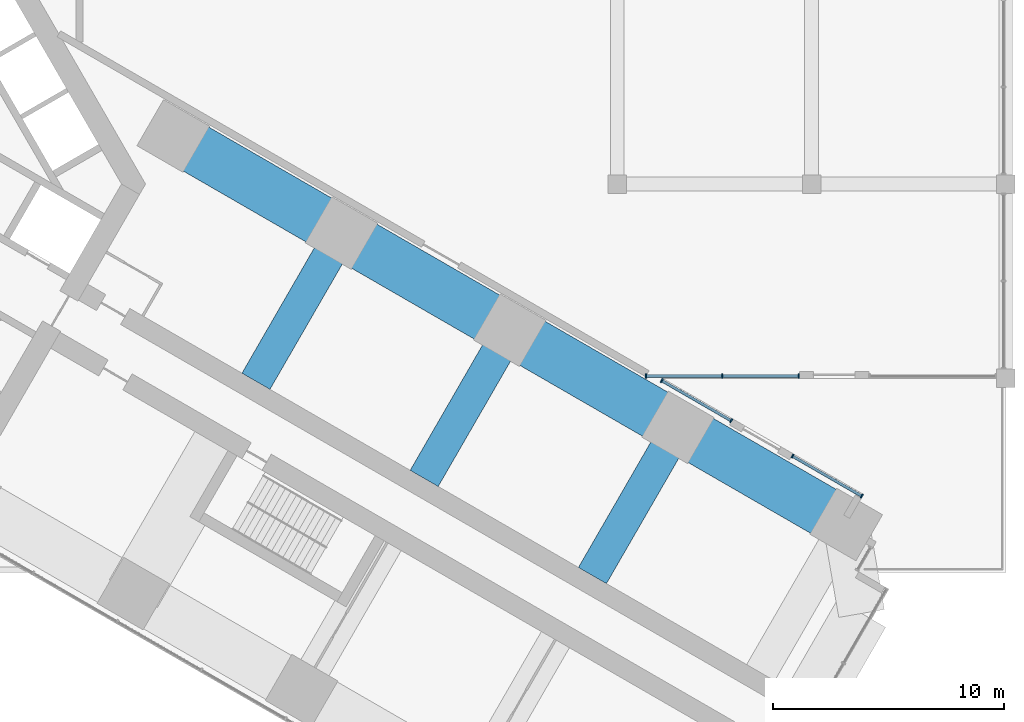
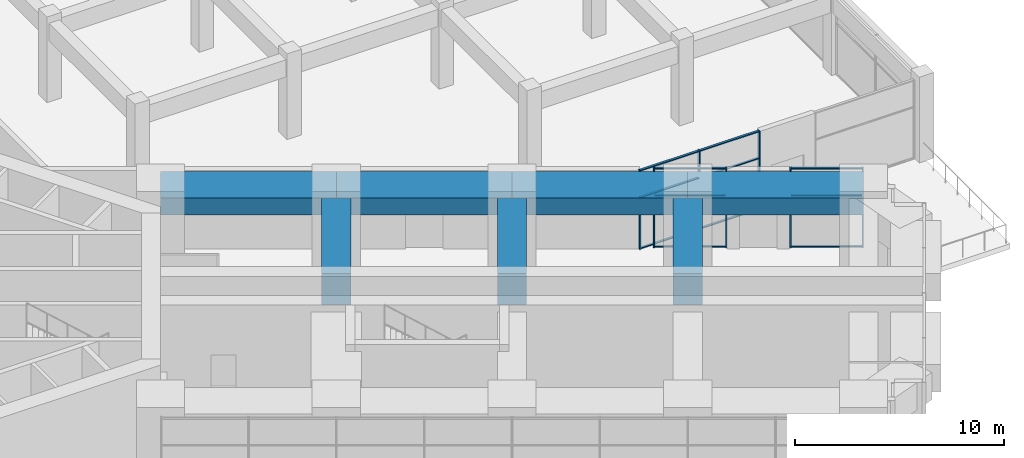
# One storey, part 13 of 33: 19 members, 7 beams, 3 elements without a shape of their own.
"""IFC4 building model written with IfcOpenShell, lengths in metres."""

import ifcopenshell
import ifcopenshell.guid

model = None  # the IFC model being written
_history = None  # IfcOwnerHistory: only IFC2X3 demands one
_inside = {}  # id of a spatial element -> (the spatial element, [elements in it])
_under = {}  # id of a project, library or spatial element -> (it, [spatial elements below it])
_declared = {}  # id of a project -> (the project, [libraries it declares])
_typed = {}  # id of a type object -> (the type object, [elements of that type])
_made_of = {}  # id of a material, layer set ... -> (it, [elements and type objects made of it])


def new_model(schema):
    """Start an empty IFC model of exactly this schema.

    Asked for "IFC4X3", IfcOpenShell would pick the latest addendum, in which some entities
    have other attributes; the version numbers below select the first issue.
    IFC2X3 requires an IfcOwnerHistory on every rooted entity: one is made here for all.
    """
    global model, _history
    if schema == "IFC4X3":
        model = ifcopenshell.file(schema_version=(4, 3, 0, 0))
    else:
        model = ifcopenshell.file(schema=schema)
    _inside.clear()
    _under.clear()
    _declared.clear()
    _typed.clear()
    _made_of.clear()
    _history = None
    if model.schema == "IFC2X3":
        org = make("IfcOrganization", Name="unknown")
        user = make(
            "IfcPersonAndOrganization",
            ThePerson=make("IfcPerson", FamilyName="unknown"),
            TheOrganization=org,
        )
        app = make(
            "IfcApplication",
            ApplicationDeveloper=org,
            Version="unknown",
            ApplicationFullName="unknown",
            ApplicationIdentifier="unknown",
        )
        _history = make(
            "IfcOwnerHistory",
            OwningUser=user,
            OwningApplication=app,
            ChangeAction="ADDED",
            CreationDate=0,
        )
    return model


def make(cls, **values):
    """One entity of the class cls with the attributes given. An attribute that is None is left unset."""
    return model.create_entity(
        cls, **{name: value for name, value in values.items() if value is not None}
    )


def rooted(cls, **values):
    """An entity with a GlobalId (a new one), such as an element, a storey or a relation."""
    return make(cls, GlobalId=ifcopenshell.guid.new(), OwnerHistory=_history, **values)


def si_unit(unit_type, name, prefix=None):
    """IfcSIUnit, for example si_unit("LENGTHUNIT", "METRE", prefix="MILLI")."""
    return make("IfcSIUnit", UnitType=unit_type, Prefix=prefix, Name=name)


def assignment(units):
    """IfcUnitAssignment: the units of a project."""
    return None if units is None else make("IfcUnitAssignment", Units=units)


def point(xyz):
    """IfcCartesianPoint."""
    return None if xyz is None else make("IfcCartesianPoint", Coordinates=xyz)


def direction(xyz):
    """IfcDirection."""
    return None if xyz is None else make("IfcDirection", DirectionRatios=xyz)


def frame(location, z_axis=None, x_axis=None):
    """IfcAxis2Placement3D, a coordinate frame: its origin and axes. An axis left out is left unset."""
    return make(
        "IfcAxis2Placement3D",
        Location=point(location),
        Axis=direction(z_axis),
        RefDirection=direction(x_axis),
    )


def frame_2d(location, x_axis=None):
    """IfcAxis2Placement2D, a coordinate frame in the plane: its origin and x axis."""
    return make(
        "IfcAxis2Placement2D", Location=point(location), RefDirection=direction(x_axis)
    )


def origin():
    """The frame at (0, 0, 0) with its axes left unset."""
    return frame((0.0, 0.0, 0.0))


def origin_2d():
    """The frame at (0, 0) in the plane with its x axis left unset."""
    return frame_2d((0.0, 0.0))


def place(relative_to, where):
    """IfcLocalPlacement: puts the frame where relative to a parent placement (None: the world)."""
    return make(
        "IfcLocalPlacement", PlacementRelTo=relative_to, RelativePlacement=where
    )


def context(
    kind, dimensions, precision=None, world=None, true_north=None, identifier=None
):
    """IfcGeometricRepresentationContext, for example the 3D "Model" context."""
    return make(
        "IfcGeometricRepresentationContext",
        ContextIdentifier=identifier,
        ContextType=kind,
        CoordinateSpaceDimension=dimensions,
        Precision=precision,
        WorldCoordinateSystem=world,
        TrueNorth=true_north,
    )


def subcontext(parent, identifier, kind, view, scale=None):
    """IfcGeometricRepresentationSubContext, for example "Body" below "Model"."""
    return make(
        "IfcGeometricRepresentationSubContext",
        ContextIdentifier=identifier,
        ContextType=kind,
        ParentContext=parent,
        TargetScale=scale,
        TargetView=view,
    )


def project(units=None, contexts=None):
    """IfcProject with its units and contexts."""
    return rooted(
        "IfcProject",
        Name="project",
        RepresentationContexts=contexts,
        UnitsInContext=assignment(units),
    )


def spatial(cls, under=None, at=None, **own):
    """A site, building, storey or space (cls), placed at a placement, below another one or the project."""
    s = rooted(cls, ObjectPlacement=at, **own)
    if under is not None:
        _under.setdefault(under.id(), (under, []))[1].append(s)
    return s


def profile(cls, at=None, kind="AREA", **sizes):
    """A parametric profile (cls). Its sizes go by their IFC names, for example OverallWidth=200.0."""
    return make(cls, ProfileType=kind, Position=at, **sizes)


def rectangle(**sizes):
    """IfcRectangleProfileDef."""
    return profile("IfcRectangleProfileDef", **sizes)


def extrude(swept, where, along, depth):
    """IfcExtrudedAreaSolid: the profile swept, set in the frame where, extruded along a direction by depth."""
    return make(
        "IfcExtrudedAreaSolid",
        SweptArea=swept,
        Position=where,
        ExtrudedDirection=direction(along),
        Depth=depth,
    )


def shape(context_of_items, identifier, shape_type, items):
    """IfcShapeRepresentation: the items that make up one representation, for example the "Body"."""
    return make(
        "IfcShapeRepresentation",
        ContextOfItems=context_of_items,
        RepresentationIdentifier=identifier,
        RepresentationType=shape_type,
        Items=items,
    )


def material(Name=None, Category=None):
    """IfcMaterial."""
    return make("IfcMaterial", Name=Name, Category=Category)


def material_profile(
    of_material, cross_section, Name=None, Category=None, Priority=None
):
    """IfcMaterialProfile: a cross section and its material."""
    return make(
        "IfcMaterialProfile",
        Name=Name,
        Material=of_material,
        Profile=cross_section,
        Priority=Priority,
        Category=Category,
    )


def profile_set(profiles, Name=None, composite=None):
    """IfcMaterialProfileSet."""
    return make(
        "IfcMaterialProfileSet",
        Name=Name,
        MaterialProfiles=profiles,
        CompositeProfile=composite,
    )


def made_of(thing, what):
    """Note that an element or type object is made of a material, layer set ...; save() writes the relation."""
    if what is not None:
        _made_of.setdefault(what.id(), (what, []))[1].append(thing)
    return thing


def type_object(cls, material=None, **own):
    """A type object (cls), such as IfcWallType, which elements share."""
    return made_of(rooted(cls, **own), material)


def element(
    cls,
    number,
    at=None,
    inside=None,
    cuts=None,
    type_object=None,
    material=None,
    context=None,
    identifier="Body",
    shape_type=None,
    held_by="IfcProductDefinitionShape",
    body=None,
    shapes=None,
    **own,
):
    """One element of the class cls, such as IfcWall. Its Tag is "e" and its number.

    at: its placement. inside: the storey or other place that contains it. cuts: it is an
    opening in that element (IfcRelVoidsElement). A single representation is given by context,
    identifier, shape_type and body (its items); several are given by shapes. held_by: the class
    of the entity that holds the representations. save() writes the other relations.
    """
    e = rooted(cls, Tag="e%d" % number, ObjectPlacement=at, **own)
    if body is not None:
        shapes = [shape(context, identifier, shape_type, body)]
    if shapes is not None:
        e.Representation = make(held_by, Representations=shapes)
    if inside is not None:
        _inside.setdefault(inside.id(), (inside, []))[1].append(e)
    if cuts is not None:
        rooted(
            "IfcRelVoidsElement", RelatingBuildingElement=cuts, RelatedOpeningElement=e
        )
    if type_object is not None:
        _typed.setdefault(type_object.id(), (type_object, []))[1].append(e)
    return made_of(e, material)


def aggregate(whole, parts):
    """IfcRelAggregates: a whole, such as a stair, and the parts it consists of."""
    return rooted("IfcRelAggregates", RelatingObject=whole, RelatedObjects=parts)


def save(model, path):
    """Write the relations noted so far, then the file.

    IfcRelAggregates (storeys below a building ...), IfcRelContainedInSpatialStructure (elements
    in a storey), IfcRelDefinesByType, IfcRelAssociatesMaterial and IfcRelDeclares: one each for
    every whole, place, type object, material and project.
    """
    for whole, parts in _under.values():
        aggregate(whole, parts)
    for where, things in _inside.values():
        rooted(
            "IfcRelContainedInSpatialStructure",
            RelatedElements=things,
            RelatingStructure=where,
        )
    for kind, things in _typed.values():
        rooted("IfcRelDefinesByType", RelatedObjects=things, RelatingType=kind)
    for what, things in _made_of.values():
        rooted("IfcRelAssociatesMaterial", RelatedObjects=things, RelatingMaterial=what)
    for by, libraries in _declared.values():
        rooted("IfcRelDeclares", RelatingContext=by, RelatedDefinitions=libraries)
    model.write(path)


model = new_model("IFC4")

# Units and contexts
model_context = context("Model", 3, precision=1e-05, world=origin(), true_north=direction((0.0, 1.0)))
body_context = subcontext(model_context, "Body", "Model", "MODEL_VIEW")
ifc_project = project(units=[si_unit("LENGTHUNIT", "METRE"), si_unit("AREAUNIT", "SQUARE_METRE"), si_unit("VOLUMEUNIT", "CUBIC_METRE"), si_unit("PLANEANGLEUNIT", "RADIAN"), si_unit("MASSUNIT", "GRAM", prefix="KILO")], contexts=[model_context])

# Site, building, storey
site_placement = place(None, origin())
site = spatial("IfcSite", under=ifc_project, at=site_placement, CompositionType="ELEMENT")
building_placement = place(site_placement, origin())
building = spatial("IfcBuilding", under=site, at=building_placement, Name="Impinga Residences", CompositionType="ELEMENT")
storey_placement = place(building_placement, frame((0.0, 0.0, 21.0)))
storey = spatial("IfcBuildingStorey", under=building, at=storey_placement, Name="L04", CompositionType="ELEMENT", Elevation=21.0)

# Beams
ifc_material_1 = material(Name="Concrete C60/75", Category="concrete")
ifc_material_profile_1 = material_profile(ifc_material_1, rectangle(XDim=1.39990234375, YDim=1.800048828125, at=origin_2d()), Name="RC 1400x1800")
ifc_profile_set_1 = profile_set([ifc_material_profile_1], Name="Concrete C60/75")
beam_type_1 = type_object("IfcBeamType", Name="CG4 1400x1800 cross girder on a wing bay line under the podium floors", PredefinedType="BEAM", material=ifc_profile_set_1)
beam_placement = place(storey_placement, frame((17.974609375, -8.530029296875, 3.699951171875), z_axis=(0.500003285667, 0.866023506795, 0.0), x_axis=(-0.866023506795, 0.500003285667, 0.0)))
element("IfcBeam", 1, at=beam_placement, inside=storey, type_object=beam_type_1, Name="Beam CG4 E2 EC/EA level L05", PredefinedType="BEAM", context=body_context, shape_type="SweptSolid", body=[
    extrude(rectangle(XDim=1.39990234375, YDim=1.800048828125, at=origin_2d()), origin(), (0.0, 0.0, 1.0), 7.39990234375),
])
for number, where, z_axis, x_axis, name in (
    (2, (25.249267578125, -12.730224609375, 3.699951171875), (0.499988999718, 0.866031754707, 0.0), (-0.866031754707, 0.499988999718, 0.0), "Beam CG4 E3 EC/EA level L05"),
    (3, (32.52392578125, -16.93017578125, 3.699951171875), (0.499988999718, 0.866031754707, 0.0), (-0.866031754707, 0.499988999718, 0.0), "Beam CG4 E4 EC/EA level L05"),
):
    element("IfcBeam", number, at=place(storey_placement, frame(where, z_axis=z_axis, x_axis=x_axis)), inside=storey, type_object=beam_type_1, Name=name, PredefinedType="BEAM", context=body_context, shape_type="SweptSolid", body=[
        extrude(rectangle(XDim=1.39990234375, YDim=1.800048828125, at=origin_2d()), origin(), (0.0, 0.0, 1.0), 7.400146484375),
    ])

# Curtain wall, members
ifc_material_2 = material(Name="Aluminium stick curtain wall", Category="aluminium")
curtain_wall_type = type_object("IfcCurtainWallType", Name="CW1 podium amenity curtain wall", PredefinedType="USERDEFINED", material=ifc_material_2)
curtain_wall_1_placement = place(storey_placement, origin())
curtain_wall_1 = element("IfcCurtainWall", 4, at=curtain_wall_1_placement, inside=storey, type_object=curtain_wall_type, Name="Curtain wall CW1 L04", ObjectType="STICK CURTAIN WALL", PredefinedType="USERDEFINED")
ifc_material_3 = material(Name="Aluminium mullion", Category="aluminium")
ifc_material_profile_2 = material_profile(ifc_material_3, rectangle(XDim=0.06005859375, YDim=0.179931640625, at=origin_2d()), Name="60x180 mullion")
ifc_profile_set_2 = profile_set([ifc_material_profile_2], Name="Aluminium mullion")
member_type_1 = type_object("IfcMemberType", Name="CW1-M mullion 60x180", PredefinedType="MULLION", material=ifc_profile_set_2)
member_1_placement = place(storey_placement, frame((41.444580078125, -8.300048828125, 0.0), z_axis=(0.0, 0.0, 1.0), x_axis=(-1.0, 0.0, 0.0)))
member_1 = element("IfcMember", 5, at=member_1_placement, type_object=member_type_1, Name="CW1 mullion 1", PredefinedType="MULLION", context=body_context, shape_type="SweptSolid", body=[
    extrude(rectangle(XDim=0.06005859375, YDim=0.179931640625, at=origin_2d()), origin(), (0.0, 0.0, 1.0), 4.60009765625),
])
member_2_placement = place(storey_placement, frame((38.138671875, -8.300048828125, 0.0), z_axis=(0.0, 0.0, 1.0), x_axis=(-1.0, 0.0, 0.0)))
member_2 = element("IfcMember", 6, at=member_2_placement, type_object=member_type_1, Name="CW1 mullion 2", PredefinedType="MULLION", context=body_context, shape_type="SweptSolid", body=[
    extrude(rectangle(XDim=0.06005859375, YDim=0.179931640625, at=origin_2d()), origin(), (0.0, 0.0, 1.0), 4.60009765625),
])
member_3_placement = place(storey_placement, frame((34.832763671875, -8.300048828125, 0.0), z_axis=(0.0, 0.0, 1.0), x_axis=(-1.0, 0.0, 0.0)))
member_3 = element("IfcMember", 7, at=member_3_placement, type_object=member_type_1, Name="CW1 mullion 3", PredefinedType="MULLION", context=body_context, shape_type="SweptSolid", body=[
    extrude(rectangle(XDim=0.06005859375, YDim=0.179931640625, at=origin_2d()), origin(), (0.0, 0.0, 1.0), 4.60009765625),
])

curtain_wall_2_placement = place(storey_placement, origin())
curtain_wall_2 = element("IfcCurtainWall", 8, at=curtain_wall_2_placement, inside=storey, type_object=curtain_wall_type, Name="Curtain wall CW1 L04", ObjectType="STICK CURTAIN WALL", PredefinedType="USERDEFINED")
member_4_placement = place(storey_placement, frame((35.525146484375, -8.501708984375, 0.0), z_axis=(0.0, 0.0, 1.0), x_axis=(0.866025440349, -0.499999936668, 0.0)))
member_4 = element("IfcMember", 9, at=member_4_placement, type_object=member_type_1, Name="CW1 mullion 1", PredefinedType="MULLION", context=body_context, shape_type="SweptSolid", body=[
    extrude(rectangle(XDim=0.06005859375, YDim=0.179931640625, at=origin_2d()), origin(), (0.0, 0.0, 1.0), 4.60009765625),
])
member_5_placement = place(storey_placement, frame((38.52392578125, -10.23291015625, 0.0), z_axis=(0.0, 0.0, 1.0), x_axis=(0.866025440349, -0.499999936668, 0.0)))
member_5 = element("IfcMember", 10, at=member_5_placement, type_object=member_type_1, Name="CW1 mullion 2", PredefinedType="MULLION", context=body_context, shape_type="SweptSolid", body=[
    extrude(rectangle(XDim=0.06005859375, YDim=0.179931640625, at=origin_2d()), origin(), (0.0, 0.0, 1.0), 4.60009765625),
])

curtain_wall_3_placement = place(storey_placement, origin())
curtain_wall_3 = element("IfcCurtainWall", 11, at=curtain_wall_3_placement, inside=storey, type_object=curtain_wall_type, Name="Curtain wall CW1 L04", ObjectType="STICK CURTAIN WALL", PredefinedType="USERDEFINED")
member_6_placement = place(storey_placement, frame((41.173828125, -11.762939453125, 0.0), z_axis=(0.0, 0.0, 1.0), x_axis=(0.866025511323, -0.499999813738, 0.0)))
member_6 = element("IfcMember", 12, at=member_6_placement, type_object=member_type_1, Name="CW1 mullion 1", PredefinedType="MULLION", context=body_context, shape_type="SweptSolid", body=[
    extrude(rectangle(XDim=0.06005859375, YDim=0.179931640625, at=origin_2d()), origin(), (0.0, 0.0, 1.0), 4.60009765625),
])
member_7_placement = place(storey_placement, frame((44.17236328125, -13.494140625, 0.0), z_axis=(0.0, 0.0, 1.0), x_axis=(0.866025511323, -0.499999813738, 0.0)))
member_7 = element("IfcMember", 13, at=member_7_placement, type_object=member_type_1, Name="CW1 mullion 2", PredefinedType="MULLION", context=body_context, shape_type="SweptSolid", body=[
    extrude(rectangle(XDim=0.06005859375, YDim=0.179931640625, at=origin_2d()), origin(), (0.0, 0.0, 1.0), 4.60009765625),
])

# Member
ifc_material_4 = material(Name="Aluminium transom", Category="aluminium")
ifc_material_profile_3 = material_profile(ifc_material_4, rectangle(XDim=0.06005859375, YDim=0.1201171875, at=origin_2d()), Name="60x120 transom")
ifc_profile_set_3 = profile_set([ifc_material_profile_3], Name="Aluminium transom")
member_type_2 = type_object("IfcMemberType", Name="CW1-T transom 60x120", PredefinedType="USERDEFINED", material=ifc_profile_set_3)
member_8_placement = place(storey_placement, frame((41.41455078125, -8.300048828125, 0.030029296875), z_axis=(-1.0, 0.0, 0.0), x_axis=(0.0, 0.0, 1.0)))
member_8 = element("IfcMember", 14, at=member_8_placement, type_object=member_type_2, Name="CW1 transom 1.1", ObjectType="TRANSOM", PredefinedType="USERDEFINED", context=body_context, shape_type="SweptSolid", body=[
    extrude(rectangle(XDim=0.06005859375, YDim=0.1201171875, at=origin_2d()), origin(), (0.0, 0.0, 1.0), 3.245849609375),
])

member_9_placement = place(storey_placement, frame((41.41455078125, -8.300048828125, 3.0), z_axis=(-1.0, 0.0, 0.0), x_axis=(0.0, 0.0, 1.0)))
member_9 = element("IfcMember", 15, at=member_9_placement, type_object=member_type_2, Name="CW1 transom 1.2", ObjectType="TRANSOM", PredefinedType="USERDEFINED", context=body_context, shape_type="SweptSolid", body=[
    extrude(rectangle(XDim=0.06005859375, YDim=0.1201171875, at=origin_2d()), origin(), (0.0, 0.0, 1.0), 3.245849609375),
])

member_10_placement = place(storey_placement, frame((41.41455078125, -8.300048828125, 4.570068359375), z_axis=(-1.0, 0.0, 0.0), x_axis=(0.0, 0.0, 1.0)))
member_10 = element("IfcMember", 16, at=member_10_placement, type_object=member_type_2, Name="CW1 transom 1.3", ObjectType="TRANSOM", PredefinedType="USERDEFINED", context=body_context, shape_type="SweptSolid", body=[
    extrude(rectangle(XDim=0.06005859375, YDim=0.1201171875, at=origin_2d()), origin(), (0.0, 0.0, 1.0), 3.245849609375),
])

member_11_placement = place(storey_placement, frame((38.108642578125, -8.300048828125, 0.030029296875), z_axis=(-1.0, 0.0, 0.0), x_axis=(0.0, 0.0, 1.0)))
member_11 = element("IfcMember", 17, at=member_11_placement, type_object=member_type_2, Name="CW1 transom 2.1", ObjectType="TRANSOM", PredefinedType="USERDEFINED", context=body_context, shape_type="SweptSolid", body=[
    extrude(rectangle(XDim=0.06005859375, YDim=0.1201171875, at=origin_2d()), origin(), (0.0, 0.0, 1.0), 3.245849609375),
])

member_12_placement = place(storey_placement, frame((38.108642578125, -8.300048828125, 3.0), z_axis=(-1.0, 0.0, 0.0), x_axis=(0.0, 0.0, 1.0)))
member_12 = element("IfcMember", 18, at=member_12_placement, type_object=member_type_2, Name="CW1 transom 2.2", ObjectType="TRANSOM", PredefinedType="USERDEFINED", context=body_context, shape_type="SweptSolid", body=[
    extrude(rectangle(XDim=0.06005859375, YDim=0.1201171875, at=origin_2d()), origin(), (0.0, 0.0, 1.0), 3.245849609375),
])

member_13_placement = place(storey_placement, frame((38.108642578125, -8.300048828125, 4.570068359375), z_axis=(-1.0, 0.0, 0.0), x_axis=(0.0, 0.0, 1.0)))
member_13 = element("IfcMember", 19, at=member_13_placement, type_object=member_type_2, Name="CW1 transom 2.3", ObjectType="TRANSOM", PredefinedType="USERDEFINED", context=body_context, shape_type="SweptSolid", body=[
    extrude(rectangle(XDim=0.06005859375, YDim=0.1201171875, at=origin_2d()), origin(), (0.0, 0.0, 1.0), 3.245849609375),
])

aggregate(curtain_wall_1, [member_1, member_2, member_3, member_8, member_9, member_10, member_11, member_12, member_13])

member_14_placement = place(storey_placement, frame((35.55126953125, -8.5166015625, 0.030029296875), z_axis=(0.86602665903, -0.499997825845, 0.0), x_axis=(0.0, 0.0, 1.0)))
member_14 = element("IfcMember", 20, at=member_14_placement, type_object=member_type_2, Name="CW1 transom 1.1", ObjectType="TRANSOM", PredefinedType="USERDEFINED", context=body_context, shape_type="SweptSolid", body=[
    extrude(rectangle(XDim=0.06005859375, YDim=0.1201171875, at=origin_2d()), origin(), (0.0, 0.0, 1.0), 3.40234375),
])

member_15_placement = place(storey_placement, frame((35.55126953125, -8.5166015625, 3.0), z_axis=(0.86602665903, -0.499997825845, 0.0), x_axis=(0.0, 0.0, 1.0)))
member_15 = element("IfcMember", 21, at=member_15_placement, type_object=member_type_2, Name="CW1 transom 1.2", ObjectType="TRANSOM", PredefinedType="USERDEFINED", context=body_context, shape_type="SweptSolid", body=[
    extrude(rectangle(XDim=0.06005859375, YDim=0.1201171875, at=origin_2d()), origin(), (0.0, 0.0, 1.0), 3.40234375),
])

member_16_placement = place(storey_placement, frame((35.55126953125, -8.5166015625, 4.570068359375), z_axis=(0.86602665903, -0.499997825845, 0.0), x_axis=(0.0, 0.0, 1.0)))
member_16 = element("IfcMember", 22, at=member_16_placement, type_object=member_type_2, Name="CW1 transom 1.3", ObjectType="TRANSOM", PredefinedType="USERDEFINED", context=body_context, shape_type="SweptSolid", body=[
    extrude(rectangle(XDim=0.06005859375, YDim=0.1201171875, at=origin_2d()), origin(), (0.0, 0.0, 1.0), 3.40234375),
])

aggregate(curtain_wall_2, [member_4, member_5, member_14, member_15, member_16])

member_17_placement = place(storey_placement, frame((41.199951171875, -11.77783203125, 0.030029296875), z_axis=(0.86602665903, -0.499997825845, 0.0), x_axis=(0.0, 0.0, 1.0)))
member_17 = element("IfcMember", 23, at=member_17_placement, type_object=member_type_2, Name="CW1 transom 1.1", ObjectType="TRANSOM", PredefinedType="USERDEFINED", context=body_context, shape_type="SweptSolid", body=[
    extrude(rectangle(XDim=0.06005859375, YDim=0.1201171875, at=origin_2d()), origin(), (0.0, 0.0, 1.0), 3.40234375),
])

member_18_placement = place(storey_placement, frame((41.199951171875, -11.77783203125, 3.0), z_axis=(0.86602665903, -0.499997825845, 0.0), x_axis=(0.0, 0.0, 1.0)))
member_18 = element("IfcMember", 24, at=member_18_placement, type_object=member_type_2, Name="CW1 transom 1.2", ObjectType="TRANSOM", PredefinedType="USERDEFINED", context=body_context, shape_type="SweptSolid", body=[
    extrude(rectangle(XDim=0.06005859375, YDim=0.1201171875, at=origin_2d()), origin(), (0.0, 0.0, 1.0), 3.40234375),
])

member_19_placement = place(storey_placement, frame((41.199951171875, -11.77783203125, 4.570068359375), z_axis=(0.86602665903, -0.499997825845, 0.0), x_axis=(0.0, 0.0, 1.0)))
member_19 = element("IfcMember", 25, at=member_19_placement, type_object=member_type_2, Name="CW1 transom 1.3", ObjectType="TRANSOM", PredefinedType="USERDEFINED", context=body_context, shape_type="SweptSolid", body=[
    extrude(rectangle(XDim=0.06005859375, YDim=0.1201171875, at=origin_2d()), origin(), (0.0, 0.0, 1.0), 3.40234375),
])

aggregate(curtain_wall_3, [member_6, member_7, member_17, member_18, member_19])

# Beams
ifc_material_profile_4 = material_profile(ifc_material_1, rectangle(XDim=2.199951171875, YDim=1.0, at=origin_2d()), Name="RC 2200x1000")
ifc_profile_set_4 = profile_set([ifc_material_profile_4], Name="Concrete C60/75")
beam_type_2 = type_object("IfcBeamType", Name="PB3 2200x1000 podium band beam", PredefinedType="BEAM", material=ifc_profile_set_4)
for number, where, z_axis, x_axis, name in (
    (26, (14.39990234375, 2.078369140625, 4.10009765625), (0.86602925447, -0.499993330357, 0.0), (0.499993330357, 0.86602925447, 0.0), "Beam PB3 EA E1-E2 level L05"),
    (27, (21.674560546875, -2.12158203125, 4.10009765625), (0.86602925447, -0.499993330357, 0.0), (0.499993330357, 0.86602925447, 0.0), "Beam PB3 EA E2-E3 level L05"),
    (28, (28.94921875, -6.321533203125, 4.10009765625), (0.86602925447, -0.499993330357, 0.0), (0.499993330357, 0.86602925447, 0.0), "Beam PB3 EA E3-E4 level L05"),
    (29, (36.223876953125, -10.521484375, 4.10009765625), (0.86602925447, -0.499993330357, 0.0), (0.499993330357, 0.86602925447, 0.0), "Beam PB3 EA E4-E5 level L05"),
):
    element("IfcBeam", number, at=place(storey_placement, frame(where, z_axis=z_axis, x_axis=x_axis)), inside=storey, type_object=beam_type_2, Name=name, PredefinedType="BEAM", context=body_context, shape_type="SweptSolid", body=[
        extrude(rectangle(XDim=2.199951171875, YDim=1.0, at=origin_2d()), origin(), (0.0, 0.0, 1.0), 8.39990234375),
    ])

save(model, "model.ifc")
